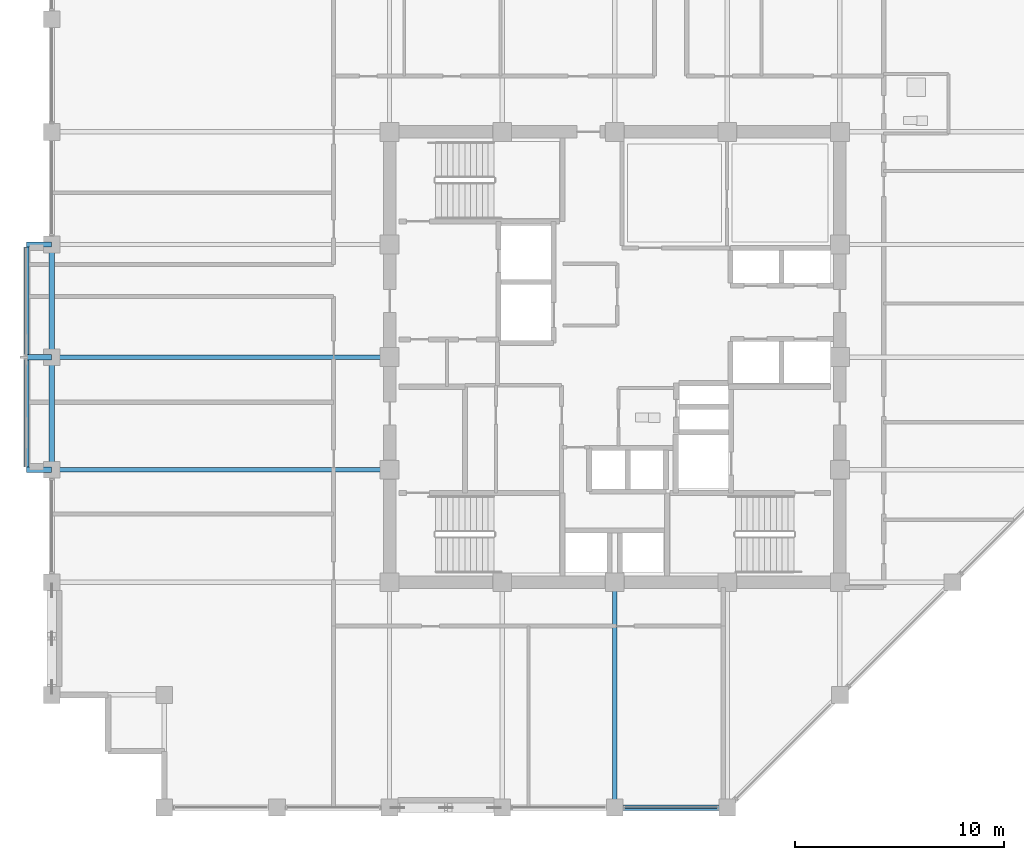
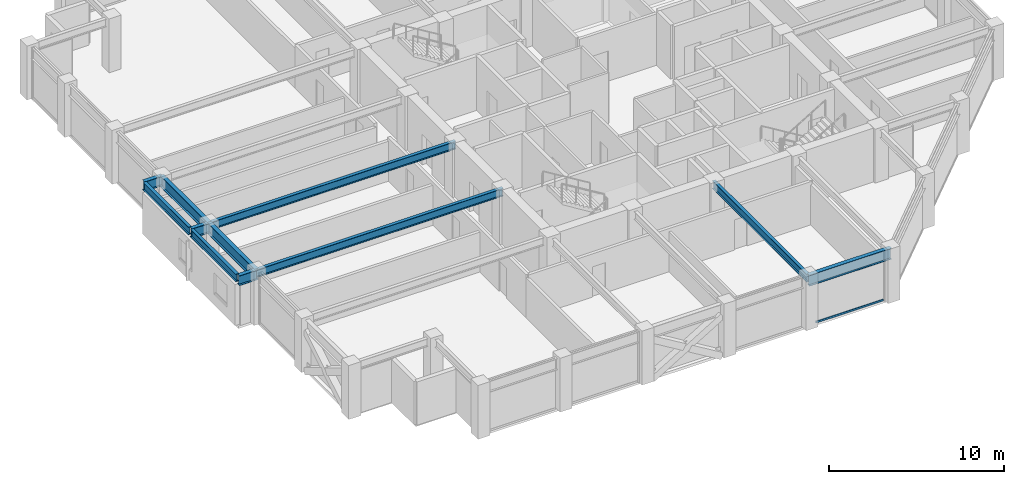
# One storey, part 7 of 30: 11 beams, 1 member, 1 element without a shape of its own.
"""IFC4 building model written with IfcOpenShell, lengths in metres."""

from ifc_helpers import new_model, si_unit, direction, frame, origin, origin_2d, place, context, subcontext, project, spatial, hollow_rectangle, i_section, extrude, material, layer, layer_set, material_profile, profile_set, type_object, element, aggregate, save


model = new_model("IFC4")

# Units and contexts
model_context = context("Model", 3, precision=1e-05, world=origin(), true_north=direction((0.0, 1.0)))
body_context = subcontext(model_context, "Body", "Model", "MODEL_VIEW")
ifc_project = project(units=[si_unit("LENGTHUNIT", "METRE"), si_unit("AREAUNIT", "SQUARE_METRE"), si_unit("VOLUMEUNIT", "CUBIC_METRE"), si_unit("PLANEANGLEUNIT", "RADIAN"), si_unit("MASSUNIT", "GRAM", prefix="KILO")], contexts=[model_context])

# Site, building, storey
site_placement = place(None, origin())
site = spatial("IfcSite", under=ifc_project, at=site_placement, CompositionType="ELEMENT")
building_placement = place(site_placement, origin())
building = spatial("IfcBuilding", under=site, at=building_placement, Name="Surkhivell Harbour Commons", CompositionType="ELEMENT")
storey_placement = place(building_placement, frame((0.0, 0.0, 231.0)))
storey = spatial("IfcBuildingStorey", under=building, at=storey_placement, Name="L60", CompositionType="ELEMENT", Elevation=231.0)

# Beams
ifc_material_1 = material(Name="Steel S460", Category="steel")
ifc_material_profile_1 = material_profile(ifc_material_1, i_section(OverallWidth=0.256103515625, OverallDepth=0.693115234375, WebThickness=0.014404296875, FlangeThickness=0.023681640625, at=origin_2d()), Name="UB686x254x170")
ifc_profile_set_1 = profile_set([ifc_material_profile_1], Name="Steel S460")
beam_type_1 = type_object("IfcBeamType", Name="BM-CNT-686", PredefinedType="BEAM", material=ifc_profile_set_1)
for number, where, z_axis, x_axis, name in (
    (1, (-27.0, -5.39990234375, 3.223388671875), (-1.0, 0.0, 0.0), (0.0, -1.0, 0.0), "L60 Box Cantilever Outrigger (-27.0,-5.4)"),
    (2, (-27.0, 0.0, 3.223388671875), (-1.0, 0.0, 0.0), (0.0, -1.0, 0.0), "L60 Box Cantilever Outrigger (-27.0,0.0)"),
    (3, (-27.0, 5.39990234375, 3.223388671875), (-1.0, 0.0, 0.0), (0.0, -1.0, 0.0), "L60 Box Cantilever Outrigger (-27.0,5.4)"),
):
    element("IfcBeam", number, at=place(storey_placement, frame(where, z_axis=z_axis, x_axis=x_axis)), inside=storey, type_object=beam_type_1, Name=name, PredefinedType="BEAM", context=body_context, shape_type="SweptSolid", body=[
        extrude(i_section(OverallWidth=0.256103515625, OverallDepth=0.693115234375, WebThickness=0.014404296875, FlangeThickness=0.023681640625, at=origin_2d()), origin(), (0.0, 0.0, 1.0), 1.199951171875),
    ])
ifc_material_2 = material(Name="Steel S355", Category="steel")
ifc_material_profile_2 = material_profile(ifc_material_2, i_section(OverallWidth=0.2119140625, OverallDepth=0.5439453125, WebThickness=0.0126953125, FlangeThickness=0.021240234375, at=origin_2d()), Name="UB533x210x122")
ifc_profile_set_2 = profile_set([ifc_material_profile_2], Name="Steel S355")
beam_type_2 = type_object("IfcBeamType", Name="BM-GRD-533A", PredefinedType="BEAM", material=ifc_profile_set_2)
for number, where, z_axis, x_axis, name in (
    (4, (-27.0, -5.39990234375, 3.298095703125), (1.0, 0.0, 0.0), (0.0, 1.0, 0.0), "L60 Floor Girder (-27.0,-5.4)"),
    (5, (-27.0, 0.0, 3.298095703125), (1.0, 0.0, 0.0), (0.0, 1.0, 0.0), "L60 Floor Girder (-27.0,0.0)"),
):
    element("IfcBeam", number, at=place(storey_placement, frame(where, z_axis=z_axis, x_axis=x_axis)), inside=storey, type_object=beam_type_2, Name=name, PredefinedType="BEAM", context=body_context, shape_type="SweptSolid", body=[
        extrude(i_section(OverallWidth=0.2119140625, OverallDepth=0.5439453125, WebThickness=0.0126953125, FlangeThickness=0.021240234375, at=origin_2d()), origin(), (0.0, 0.0, 1.0), 16.199951171875),
    ])
beam_placement = place(storey_placement, frame((0.0, -21.60009765625, 3.298095703125), z_axis=(0.0, 1.0, 0.0), x_axis=(-1.0, 0.0, 0.0)))
element("IfcBeam", 6, at=beam_placement, inside=storey, type_object=beam_type_2, Name="L60 Floor Girder (0.0,-21.6)", PredefinedType="BEAM", context=body_context, shape_type="SweptSolid", body=[
    extrude(i_section(OverallWidth=0.2119140625, OverallDepth=0.5439453125, WebThickness=0.0126953125, FlangeThickness=0.021240234375, at=origin_2d()), origin(), (0.0, 0.0, 1.0), 10.800048828125),
])
ifc_material_profile_3 = material_profile(ifc_material_2, i_section(OverallWidth=0.2099609375, OverallDepth=0.537109375, WebThickness=0.0107421875, FlangeThickness=0.017333984375, at=origin_2d()), Name="UB533x210x101")
ifc_profile_set_3 = profile_set([ifc_material_profile_3], Name="Steel S355")
beam_type_3 = type_object("IfcBeamType", Name="BM-GRD-533B", PredefinedType="BEAM", material=ifc_profile_set_3)
for number, where, z_axis, x_axis, name in (
    (7, (-28.199951171875, -5.278076171875, 3.301513671875), (0.0, 1.0, 0.0), (-1.0, 0.0, 0.0), "L60 Box Rim Spandrel (-28.2,-5.4)"),
    (8, (-28.199951171875, 0.1220703125, 3.301513671875), (0.0, 1.0, 0.0), (-1.0, 0.0, 0.0), "L60 Box Rim Spandrel (-28.2,0.0)"),
):
    element("IfcBeam", number, at=place(storey_placement, frame(where, z_axis=z_axis, x_axis=x_axis)), inside=storey, type_object=beam_type_3, Name=name, PredefinedType="BEAM", context=body_context, shape_type="SweptSolid", body=[
        extrude(i_section(OverallWidth=0.2099609375, OverallDepth=0.537109375, WebThickness=0.0107421875, FlangeThickness=0.017333984375, at=origin_2d()), origin(), (0.0, 0.0, 1.0), 5.156005859375),
    ])
ifc_material_profile_4 = material_profile(ifc_material_2, i_section(OverallWidth=0.26806640625, OverallDepth=0.77001953125, WebThickness=0.015625, FlangeThickness=0.025390625, at=origin_2d()), Name="UB762x267x197")
ifc_profile_set_4 = profile_set([ifc_material_profile_4], Name="Steel S355")
beam_type_4 = type_object("IfcBeamType", Name="BM-SPN-762", PredefinedType="SPANDREL", material=ifc_profile_set_4)
for number, where, z_axis, x_axis, name in (
    (9, (-27.0, -5.39990234375, 3.18505859375), (0.0, 1.0, 0.0), (-1.0, 0.0, 0.0), "L60 Tube Spandrel (-27.0,-5.4)"),
    (10, (-27.0, 0.0, 3.18505859375), (0.0, 1.0, 0.0), (-1.0, 0.0, 0.0), "L60 Tube Spandrel (-27.0,0.0)"),
    (11, (0.0, -21.60009765625, 3.18505859375), (1.0, 0.0, 0.0), (0.0, 1.0, 0.0), "L60 Tube Spandrel (-0.0,-21.6)"),
):
    element("IfcBeam", number, at=place(storey_placement, frame(where, z_axis=z_axis, x_axis=x_axis)), inside=storey, type_object=beam_type_4, Name=name, PredefinedType="SPANDREL", context=body_context, shape_type="SweptSolid", body=[
        extrude(i_section(OverallWidth=0.26806640625, OverallDepth=0.77001953125, WebThickness=0.015625, FlangeThickness=0.025390625, at=origin_2d()), origin(), (0.0, 0.0, 1.0), 5.39990234375),
    ])

# Curtain wall, member
ifc_material_3 = material(Name="Anodised pale-metal aluminium and insulated glazing", Category="aluminium")
ifc_layer = layer(ifc_material_3, 0.18994140625)
ifc_layer_set = layer_set([ifc_layer], Name="Anodised pale-metal aluminium and insulated glazing")
curtain_wall_type = type_object("IfcCurtainWallType", Name="CW-SYS-Z3", PredefinedType="NOTDEFINED", material=ifc_layer_set)
curtain_wall_placement = place(storey_placement, origin())
curtain_wall = element("IfcCurtainWall", 12, at=curtain_wall_placement, inside=storey, type_object=curtain_wall_type, Name="L60 Curtain Wall CW-L60-E00S2", PredefinedType="NOTDEFINED")
ifc_material_4 = material(Name="Champagne anodised aluminium alloy 6063-T6", Category="aluminium")
ifc_material_profile_5 = material_profile(ifc_material_4, hollow_rectangle(XDim=0.070068359375, YDim=0.1298828125, WallThickness=0.00341796875, at=origin_2d()), Name="ALU-TRAN-70x130")
ifc_profile_set_5 = profile_set([ifc_material_profile_5], Name="Champagne anodised aluminium alloy 6063-T6")
member_type = type_object("IfcMemberType", Name="CWT-130", PredefinedType="USERDEFINED", material=ifc_profile_set_5)
member_placement = place(storey_placement, frame((0.47705078125, -21.60009765625, 0.06494140625), z_axis=(1.0, 0.0, 0.0), x_axis=(0.0, 1.0, 0.0)))
member = element("IfcMember", 13, at=member_placement, type_object=member_type, Name="CW-Z3 transom 2.1", ObjectType="TRANSOM", PredefinedType="USERDEFINED", context=body_context, shape_type="SweptSolid", body=[
    extrude(hollow_rectangle(XDim=0.070068359375, YDim=0.1298828125, WallThickness=0.00341796875, at=origin_2d()), origin(), (0.0, 0.0, 1.0), 4.446044921875),
])
aggregate(curtain_wall, [member])

save(model, "model.ifc")
